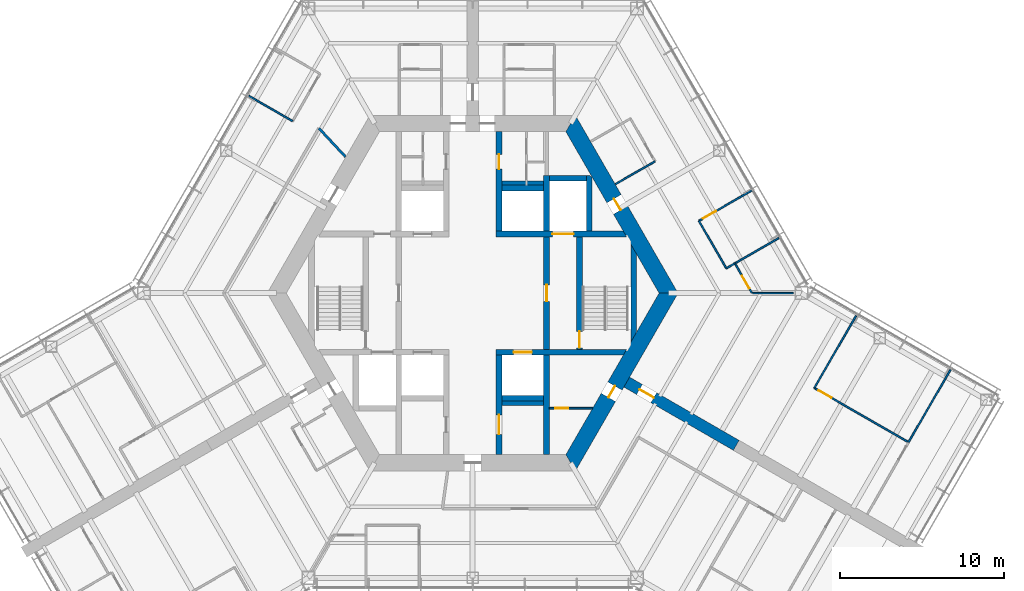
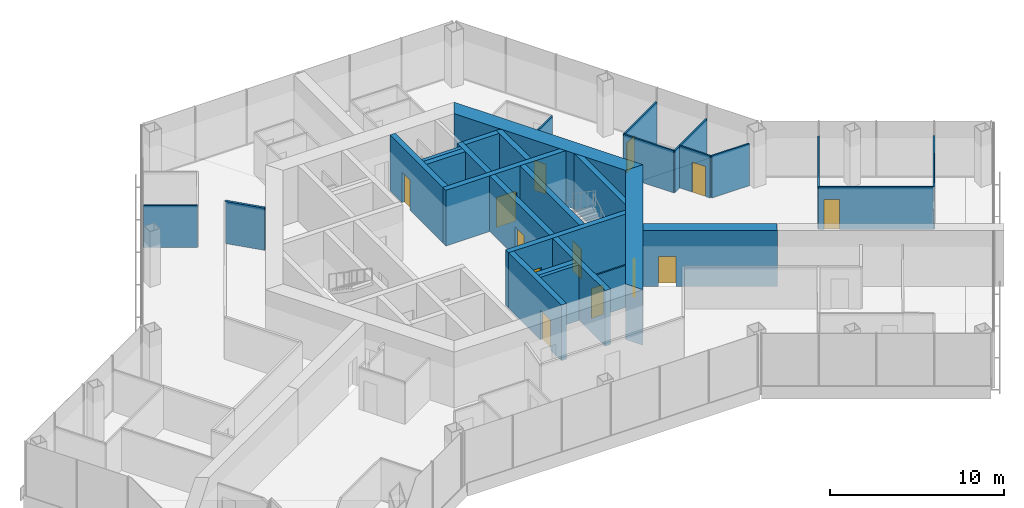
# One storey, part 14 of 18: 31 walls, 13 doors, 13 openings.
"""IFC4 building model written with IfcOpenShell, lengths in metres."""

import ifcopenshell
import ifcopenshell.guid

model = None  # the IFC model being written
_history = None  # IfcOwnerHistory: only IFC2X3 demands one
_inside = {}  # id of a spatial element -> (the spatial element, [elements in it])
_under = {}  # id of a project, library or spatial element -> (it, [spatial elements below it])
_declared = {}  # id of a project -> (the project, [libraries it declares])
_typed = {}  # id of a type object -> (the type object, [elements of that type])
_made_of = {}  # id of a material, layer set ... -> (it, [elements and type objects made of it])


def new_model(schema):
    """Start an empty IFC model of exactly this schema.

    Asked for "IFC4X3", IfcOpenShell would pick the latest addendum, in which some entities
    have other attributes; the version numbers below select the first issue.
    IFC2X3 requires an IfcOwnerHistory on every rooted entity: one is made here for all.
    """
    global model, _history
    if schema == "IFC4X3":
        model = ifcopenshell.file(schema_version=(4, 3, 0, 0))
    else:
        model = ifcopenshell.file(schema=schema)
    _inside.clear()
    _under.clear()
    _declared.clear()
    _typed.clear()
    _made_of.clear()
    _history = None
    if model.schema == "IFC2X3":
        org = make("IfcOrganization", Name="unknown")
        user = make(
            "IfcPersonAndOrganization",
            ThePerson=make("IfcPerson", FamilyName="unknown"),
            TheOrganization=org,
        )
        app = make(
            "IfcApplication",
            ApplicationDeveloper=org,
            Version="unknown",
            ApplicationFullName="unknown",
            ApplicationIdentifier="unknown",
        )
        _history = make(
            "IfcOwnerHistory",
            OwningUser=user,
            OwningApplication=app,
            ChangeAction="ADDED",
            CreationDate=0,
        )
    return model


def make(cls, **values):
    """One entity of the class cls with the attributes given. An attribute that is None is left unset."""
    return model.create_entity(
        cls, **{name: value for name, value in values.items() if value is not None}
    )


def rooted(cls, **values):
    """An entity with a GlobalId (a new one), such as an element, a storey or a relation."""
    return make(cls, GlobalId=ifcopenshell.guid.new(), OwnerHistory=_history, **values)


def si_unit(unit_type, name, prefix=None):
    """IfcSIUnit, for example si_unit("LENGTHUNIT", "METRE", prefix="MILLI")."""
    return make("IfcSIUnit", UnitType=unit_type, Prefix=prefix, Name=name)


def assignment(units):
    """IfcUnitAssignment: the units of a project."""
    return None if units is None else make("IfcUnitAssignment", Units=units)


def point(xyz):
    """IfcCartesianPoint."""
    return None if xyz is None else make("IfcCartesianPoint", Coordinates=xyz)


def direction(xyz):
    """IfcDirection."""
    return None if xyz is None else make("IfcDirection", DirectionRatios=xyz)


def frame(location, z_axis=None, x_axis=None):
    """IfcAxis2Placement3D, a coordinate frame: its origin and axes. An axis left out is left unset."""
    return make(
        "IfcAxis2Placement3D",
        Location=point(location),
        Axis=direction(z_axis),
        RefDirection=direction(x_axis),
    )


def frame_2d(location, x_axis=None):
    """IfcAxis2Placement2D, a coordinate frame in the plane: its origin and x axis."""
    return make(
        "IfcAxis2Placement2D", Location=point(location), RefDirection=direction(x_axis)
    )


def origin():
    """The frame at (0, 0, 0) with its axes left unset."""
    return frame((0.0, 0.0, 0.0))


def place(relative_to, where):
    """IfcLocalPlacement: puts the frame where relative to a parent placement (None: the world)."""
    return make(
        "IfcLocalPlacement", PlacementRelTo=relative_to, RelativePlacement=where
    )


def context(
    kind, dimensions, precision=None, world=None, true_north=None, identifier=None
):
    """IfcGeometricRepresentationContext, for example the 3D "Model" context."""
    return make(
        "IfcGeometricRepresentationContext",
        ContextIdentifier=identifier,
        ContextType=kind,
        CoordinateSpaceDimension=dimensions,
        Precision=precision,
        WorldCoordinateSystem=world,
        TrueNorth=true_north,
    )


def subcontext(parent, identifier, kind, view, scale=None):
    """IfcGeometricRepresentationSubContext, for example "Body" below "Model"."""
    return make(
        "IfcGeometricRepresentationSubContext",
        ContextIdentifier=identifier,
        ContextType=kind,
        ParentContext=parent,
        TargetScale=scale,
        TargetView=view,
    )


def project(units=None, contexts=None):
    """IfcProject with its units and contexts."""
    return rooted(
        "IfcProject",
        Name="project",
        RepresentationContexts=contexts,
        UnitsInContext=assignment(units),
    )


def spatial(cls, under=None, at=None, **own):
    """A site, building, storey or space (cls), placed at a placement, below another one or the project."""
    s = rooted(cls, ObjectPlacement=at, **own)
    if under is not None:
        _under.setdefault(under.id(), (under, []))[1].append(s)
    return s


def polyline(points):
    """IfcPolyline through the points."""
    return make("IfcPolyline", Points=[point(p) for p in points])


def profile(cls, at=None, kind="AREA", **sizes):
    """A parametric profile (cls). Its sizes go by their IFC names, for example OverallWidth=200.0."""
    return make(cls, ProfileType=kind, Position=at, **sizes)


def rectangle(**sizes):
    """IfcRectangleProfileDef."""
    return profile("IfcRectangleProfileDef", **sizes)


def outline(outer, holes=None, kind="AREA"):
    """IfcArbitraryClosedProfileDef: a profile drawn as a closed curve; with holes, ...WithVoids."""
    if holes is None:
        return make("IfcArbitraryClosedProfileDef", ProfileType=kind, OuterCurve=outer)
    return make(
        "IfcArbitraryProfileDefWithVoids",
        ProfileType=kind,
        OuterCurve=outer,
        InnerCurves=holes,
    )


def extrude(swept, where, along, depth):
    """IfcExtrudedAreaSolid: the profile swept, set in the frame where, extruded along a direction by depth."""
    return make(
        "IfcExtrudedAreaSolid",
        SweptArea=swept,
        Position=where,
        ExtrudedDirection=direction(along),
        Depth=depth,
    )


def shape(context_of_items, identifier, shape_type, items):
    """IfcShapeRepresentation: the items that make up one representation, for example the "Body"."""
    return make(
        "IfcShapeRepresentation",
        ContextOfItems=context_of_items,
        RepresentationIdentifier=identifier,
        RepresentationType=shape_type,
        Items=items,
    )


def material(Name=None, Category=None):
    """IfcMaterial."""
    return make("IfcMaterial", Name=Name, Category=Category)


def layer(
    of_material, thickness, ventilated=None, Name=None, Category=None, Priority=None
):
    """IfcMaterialLayer: one layer of a wall or slab, of a material (None: an air gap)."""
    return make(
        "IfcMaterialLayer",
        Material=of_material,
        LayerThickness=thickness,
        IsVentilated=ventilated,
        Name=Name,
        Category=Category,
        Priority=Priority,
    )


def layer_set(layers, Name=None):
    """IfcMaterialLayerSet."""
    return make("IfcMaterialLayerSet", MaterialLayers=layers, LayerSetName=Name)


def made_of(thing, what):
    """Note that an element or type object is made of a material, layer set ...; save() writes the relation."""
    if what is not None:
        _made_of.setdefault(what.id(), (what, []))[1].append(thing)
    return thing


def type_object(cls, material=None, **own):
    """A type object (cls), such as IfcWallType, which elements share."""
    return made_of(rooted(cls, **own), material)


def element(
    cls,
    number,
    at=None,
    inside=None,
    cuts=None,
    type_object=None,
    material=None,
    context=None,
    identifier="Body",
    shape_type=None,
    held_by="IfcProductDefinitionShape",
    body=None,
    shapes=None,
    **own,
):
    """One element of the class cls, such as IfcWall. Its Tag is "e" and its number.

    at: its placement. inside: the storey or other place that contains it. cuts: it is an
    opening in that element (IfcRelVoidsElement). A single representation is given by context,
    identifier, shape_type and body (its items); several are given by shapes. held_by: the class
    of the entity that holds the representations. save() writes the other relations.
    """
    e = rooted(cls, Tag="e%d" % number, ObjectPlacement=at, **own)
    if body is not None:
        shapes = [shape(context, identifier, shape_type, body)]
    if shapes is not None:
        e.Representation = make(held_by, Representations=shapes)
    if inside is not None:
        _inside.setdefault(inside.id(), (inside, []))[1].append(e)
    if cuts is not None:
        rooted(
            "IfcRelVoidsElement", RelatingBuildingElement=cuts, RelatedOpeningElement=e
        )
    if type_object is not None:
        _typed.setdefault(type_object.id(), (type_object, []))[1].append(e)
    return made_of(e, material)


def fill(opening, filler):
    """IfcRelFillsElement: the door or window that sits in an opening."""
    return rooted(
        "IfcRelFillsElement",
        RelatingOpeningElement=opening,
        RelatedBuildingElement=filler,
    )


def aggregate(whole, parts):
    """IfcRelAggregates: a whole, such as a stair, and the parts it consists of."""
    return rooted("IfcRelAggregates", RelatingObject=whole, RelatedObjects=parts)


def save(model, path):
    """Write the relations noted so far, then the file.

    IfcRelAggregates (storeys below a building ...), IfcRelContainedInSpatialStructure (elements
    in a storey), IfcRelDefinesByType, IfcRelAssociatesMaterial and IfcRelDeclares: one each for
    every whole, place, type object, material and project.
    """
    for whole, parts in _under.values():
        aggregate(whole, parts)
    for where, things in _inside.values():
        rooted(
            "IfcRelContainedInSpatialStructure",
            RelatedElements=things,
            RelatingStructure=where,
        )
    for kind, things in _typed.values():
        rooted("IfcRelDefinesByType", RelatedObjects=things, RelatingType=kind)
    for what, things in _made_of.values():
        rooted("IfcRelAssociatesMaterial", RelatedObjects=things, RelatingMaterial=what)
    for by, libraries in _declared.values():
        rooted("IfcRelDeclares", RelatingContext=by, RelatedDefinitions=libraries)
    model.write(path)


model = new_model("IFC4")

# Units and contexts
model_context = context("Model", 3, precision=1e-05, world=origin(), true_north=direction((0.0, 1.0)))
body_context = subcontext(model_context, "Body", "Model", "MODEL_VIEW")
ifc_project = project(units=[si_unit("LENGTHUNIT", "METRE"), si_unit("AREAUNIT", "SQUARE_METRE"), si_unit("VOLUMEUNIT", "CUBIC_METRE"), si_unit("PLANEANGLEUNIT", "RADIAN"), si_unit("MASSUNIT", "GRAM", prefix="KILO")], contexts=[model_context])

# Site, building, storey
site_placement = place(None, origin())
site = spatial("IfcSite", under=ifc_project, at=site_placement, CompositionType="ELEMENT")
building_placement = place(site_placement, origin())
building = spatial("IfcBuilding", under=site, at=building_placement, Name="Kasaneha Research Tower", CompositionType="ELEMENT")
storey_placement = place(building_placement, frame((0.0, 0.0, 191.60009765625)))
storey = spatial("IfcBuildingStorey", under=building, at=storey_placement, Name="L48", CompositionType="ELEMENT", Elevation=191.60009765625)

# Wall, opening, door
ifc_material_1 = material(Name="Concrete Fc70", Category="concrete")
ifc_layer_1 = layer(ifc_material_1, 0.35009765625)
ifc_layer_set_1 = layer_set([ifc_layer_1], Name="Core internal wall 350 Fc70")
wall_type_1 = type_object("IfcWallType", Name="Core internal wall 350 Fc70", PredefinedType="SHEAR", material=ifc_layer_set_1)
wall_1_placement = place(storey_placement, frame((1.425048828125, 3.60009765625, 0.0), z_axis=(0.0, 0.0, 1.0), x_axis=(1.0, 0.0, 0.0)))
wall_1 = element("IfcWall", 1, at=wall_1_placement, inside=storey, type_object=wall_type_1, Name="Core wall W1E L48", PredefinedType="SHEAR", context=body_context, shape_type="SweptSolid", body=[
    extrude(outline(polyline([(0.0, -0.175048828125), (3.425048828125, -0.175048828125), (4.72509765625, -0.175048828125), (7.9423828125, -0.175048828125), (7.740234375, 0.175048828125), (4.72509765625, 0.175048828125), (3.425048828125, 0.175048828125), (0.0, 0.175048828125), (0.0, -0.175048828125)])), origin(), (0.0, 0.0, 1.0), 3.89990234375),
])
opening_1_placement = place(wall_1_placement, frame((3.425048828125, 0.0, 0.0)))
opening_1 = element("IfcOpeningElement", 2, at=opening_1_placement, cuts=wall_1, Name="Opening LD-FL1-L48", PredefinedType="OPENING", context=body_context, shape_type="SweptSolid", body=[
    extrude(rectangle(XDim=1.300048828125, YDim=2.10009765625, at=frame_2d((0.64990234375, 1.050048828125))), frame((0.0, 0.18505859375, 0.0), z_axis=(0.0, -1.0, 0.0), x_axis=(1.0, 0.0, 0.0)), (0.0, 0.0, 1.0), 0.3701171875),
])
ifc_material_2 = material(Name="Steel", Category="steel")
door_type_1 = type_object("IfcDoorType", Name="Lift landing door 1300x2100", OperationType="DOUBLE_DOOR_SLIDING", PredefinedType="DOOR", material=ifc_material_2)
door_1_placement = place(opening_1_placement, origin())
door_1 = element("IfcDoor", 3, at=door_1_placement, inside=storey, type_object=door_type_1, Name="Landing door FL1 LD-FL1-L48", OperationType="DOUBLE_DOOR_SLIDING", OverallHeight=2.10009765625, OverallWidth=1.300048828125, PredefinedType="DOOR", context=body_context, shape_type="SweptSolid", body=[
    extrude(rectangle(XDim=1.300048828125, YDim=2.10009765625, at=frame_2d((0.64990234375, 1.050048828125))), frame((0.0, 0.02490234375, 0.0), z_axis=(0.0, -1.0, 0.0), x_axis=(1.0, 0.0, 0.0)), (0.0, 0.0, 1.0), 0.050048828125),
])
fill(opening_1, door_1)

wall_2_placement = place(storey_placement, frame((1.425048828125, -3.60009765625, 0.0), z_axis=(0.0, 0.0, 1.0), x_axis=(1.0, 0.0, 0.0)))
wall_2 = element("IfcWall", 4, at=wall_2_placement, inside=storey, type_object=wall_type_1, Name="Core wall W2E L48", PredefinedType="SHEAR", context=body_context, shape_type="SweptSolid", body=[
    extrude(outline(polyline([(0.0, -0.175048828125), (1.074951171875, -0.175048828125), (2.175048828125, -0.175048828125), (7.740234375, -0.175048828125), (7.9423828125, 0.175048828125), (2.175048828125, 0.175048828125), (1.074951171875, 0.175048828125), (0.0, 0.175048828125), (0.0, -0.175048828125)])), origin(), (0.0, 0.0, 1.0), 3.89990234375),
])
opening_2_placement = place(wall_2_placement, frame((1.074951171875, 0.0, 0.0)))
opening_2 = element("IfcOpeningElement", 5, at=opening_2_placement, cuts=wall_2, Name="Opening LD-LM2-L48", PredefinedType="OPENING", context=body_context, shape_type="SweptSolid", body=[
    extrude(rectangle(XDim=1.10009765625, YDim=2.10009765625, at=frame_2d((0.550048828125, 1.050048828125))), frame((0.0, 0.18505859375, 0.0), z_axis=(0.0, -1.0, 0.0), x_axis=(1.0, 0.0, 0.0)), (0.0, 0.0, 1.0), 0.3701171875),
])
ifc_material_3 = material(Name="Steel", Category="steel")
door_type_2 = type_object("IfcDoorType", Name="Lift landing door 1100x2100", OperationType="DOUBLE_DOOR_SLIDING", PredefinedType="DOOR", material=ifc_material_3)
door_2_placement = place(opening_2_placement, origin())
door_2 = element("IfcDoor", 6, at=door_2_placement, inside=storey, type_object=door_type_2, Name="Landing door LM2 LD-LM2-L48", OperationType="DOUBLE_DOOR_SLIDING", OverallHeight=2.10009765625, OverallWidth=1.10009765625, PredefinedType="DOOR", context=body_context, shape_type="SweptSolid", body=[
    extrude(rectangle(XDim=1.10009765625, YDim=2.10009765625, at=frame_2d((0.550048828125, 1.050048828125))), frame((0.0, 0.02490234375, 0.0), z_axis=(0.0, -1.0, 0.0), x_axis=(1.0, 0.0, 0.0)), (0.0, 0.0, 1.0), 0.050048828125),
])
fill(opening_2, door_2)

wall_3_placement = place(storey_placement, frame((1.60009765625, 3.77490234375, 0.0), z_axis=(0.0, 0.0, 1.0), x_axis=(0.0, 1.0, 0.0)))
wall_3 = element("IfcWall", 7, at=wall_3_placement, inside=storey, type_object=wall_type_1, Name="Core wall CNE L48", PredefinedType="SHEAR", context=body_context, shape_type="SweptSolid", body=[
    extrude(rectangle(XDim=6.050048828125, YDim=0.35009765625, at=frame_2d((3.02490234375, 0.0))), origin(), (0.0, 0.0, 1.0), 3.89990234375),
])
opening_3_placement = place(wall_3_placement, frame((3.77490234375, 0.0, 0.0)))
opening_3 = element("IfcOpeningElement", 8, at=opening_3_placement, cuts=wall_3, Name="Opening L48-D14", PredefinedType="OPENING", context=body_context, shape_type="SweptSolid", body=[
    extrude(rectangle(XDim=0.89990234375, YDim=2.10009765625, at=frame_2d((0.449951171875, 1.050048828125))), frame((0.0, 0.18505859375, 0.0), z_axis=(0.0, -1.0, 0.0), x_axis=(1.0, 0.0, 0.0)), (0.0, 0.0, 1.0), 0.3701171875),
])
ifc_material_4 = material(Name="Steel", Category="steel")
door_type_3 = type_object("IfcDoorType", Name="Toilet door FD20 900x2100", OperationType="NOTDEFINED", PredefinedType="DOOR", material=ifc_material_4)
door_3_placement = place(opening_3_placement, origin())
door_3 = element("IfcDoor", 9, at=door_3_placement, inside=storey, type_object=door_type_3, Name="Women's WC door L48-D14", OperationType="SINGLE_SWING_LEFT", OverallHeight=2.10009765625, OverallWidth=0.89990234375, PredefinedType="DOOR", context=body_context, shape_type="SweptSolid", body=[
    extrude(rectangle(XDim=0.89990234375, YDim=2.10009765625, at=frame_2d((0.449951171875, 1.050048828125))), frame((0.0, 0.02490234375, 0.0), z_axis=(0.0, -1.0, 0.0), x_axis=(1.0, 0.0, 0.0)), (0.0, 0.0, 1.0), 0.050048828125),
])
fill(opening_3, door_3)

wall_4_placement = place(storey_placement, frame((1.60009765625, -3.77490234375, 0.0), z_axis=(0.0, 0.0, 1.0), x_axis=(0.0, -1.0, 0.0)))
wall_4 = element("IfcWall", 10, at=wall_4_placement, inside=storey, type_object=wall_type_1, Name="Core wall CSE L48", PredefinedType="SHEAR", context=body_context, shape_type="SweptSolid", body=[
    extrude(rectangle(XDim=6.050048828125, YDim=0.35009765625, at=frame_2d((3.02490234375, 0.0))), origin(), (0.0, 0.0, 1.0), 3.89990234375),
])
opening_4_placement = place(wall_4_placement, frame((3.625, 0.0, 0.0)))
opening_4 = element("IfcOpeningElement", 11, at=opening_4_placement, cuts=wall_4, Name="Opening L48-D15", PredefinedType="OPENING", context=body_context, shape_type="SweptSolid", body=[
    extrude(rectangle(XDim=1.199951171875, YDim=2.10009765625, at=frame_2d((0.60009765625, 1.050048828125))), frame((0.0, 0.18505859375, 0.0), z_axis=(0.0, -1.0, 0.0), x_axis=(1.0, 0.0, 0.0)), (0.0, 0.0, 1.0), 0.3701171875),
])
ifc_material_5 = material(Name="Steel", Category="steel")
door_type_4 = type_object("IfcDoorType", Name="Accessible toilet sliding door FD20 1200x2100", OperationType="SLIDING_TO_LEFT", PredefinedType="DOOR", material=ifc_material_5)
door_4_placement = place(opening_4_placement, origin())
door_4 = element("IfcDoor", 12, at=door_4_placement, inside=storey, type_object=door_type_4, Name="Accessible WC door L48-D15", OperationType="SLIDING_TO_LEFT", OverallHeight=2.10009765625, OverallWidth=1.199951171875, PredefinedType="DOOR", context=body_context, shape_type="SweptSolid", body=[
    extrude(rectangle(XDim=1.199951171875, YDim=2.10009765625, at=frame_2d((0.60009765625, 1.050048828125))), frame((0.0, 0.02490234375, 0.0), z_axis=(0.0, -1.0, 0.0), x_axis=(1.0, 0.0, 0.0)), (0.0, 0.0, 1.0), 0.050048828125),
])
fill(opening_4, door_4)

wall_5_placement = place(storey_placement, frame((4.5, -3.425048828125, 0.0), z_axis=(0.0, 0.0, 1.0), x_axis=(0.0, 1.0, 0.0)))
wall_5 = element("IfcWall", 13, at=wall_5_placement, inside=storey, type_object=wall_type_1, Name="Core wall LBE L48", PredefinedType="SHEAR", context=body_context, shape_type="SweptSolid", body=[
    extrude(rectangle(XDim=6.85009765625, YDim=0.35009765625, at=frame_2d((3.425048828125, 0.0))), origin(), (0.0, 0.0, 1.0), 3.89990234375),
])
opening_5_placement = place(wall_5_placement, frame((2.925048828125, 0.0, 0.0)))
opening_5 = element("IfcOpeningElement", 14, at=opening_5_placement, cuts=wall_5, Name="Opening L48-D08", PredefinedType="OPENING", context=body_context, shape_type="SweptSolid", body=[
    extrude(rectangle(XDim=1.0, YDim=2.10009765625, at=frame_2d((0.5, 1.050048828125))), frame((0.0, 0.18505859375, 0.0), z_axis=(0.0, -1.0, 0.0), x_axis=(1.0, 0.0, 0.0)), (0.0, 0.0, 1.0), 0.3701171875),
])
ifc_material_6 = material(Name="Steel", Category="steel")
door_type_5 = type_object("IfcDoorType", Name="Specified fire door FD60 1000x2100", OperationType="NOTDEFINED", PredefinedType="DOOR", material=ifc_material_6)
door_5_placement = place(opening_5_placement, origin())
door_5 = element("IfcDoor", 15, at=door_5_placement, inside=storey, type_object=door_type_5, Name="Lift lobby door east L48-D08", OperationType="SINGLE_SWING_LEFT", OverallHeight=2.10009765625, OverallWidth=1.0, PredefinedType="DOOR", context=body_context, shape_type="SweptSolid", body=[
    extrude(rectangle(XDim=1.0, YDim=2.10009765625, at=frame_2d((0.5, 1.050048828125))), frame((0.0, 0.02490234375, 0.0), z_axis=(0.0, -1.0, 0.0), x_axis=(1.0, 0.0, 0.0)), (0.0, 0.0, 1.0), 0.050048828125),
])
fill(opening_5, door_5)

wall_6_placement = place(storey_placement, frame((6.5, -3.425048828125, 0.0), z_axis=(0.0, 0.0, 1.0), x_axis=(0.0, 1.0, 0.0)))
wall_6 = element("IfcWall", 16, at=wall_6_placement, inside=storey, type_object=wall_type_1, Name="Core wall ANE L48", PredefinedType="SHEAR", context=body_context, shape_type="SweptSolid", body=[
    extrude(rectangle(XDim=6.85009765625, YDim=0.35009765625, at=frame_2d((3.425048828125, 0.0))), origin(), (0.0, 0.0, 1.0), 3.89990234375),
])
opening_6_placement = place(wall_6_placement, frame((0.10009765625, 0.0, 0.0)))
opening_6 = element("IfcOpeningElement", 17, at=opening_6_placement, cuts=wall_6, Name="Opening L48-D10", PredefinedType="OPENING", context=body_context, shape_type="SweptSolid", body=[
    extrude(rectangle(XDim=1.0, YDim=2.10009765625, at=frame_2d((0.5, 1.050048828125))), frame((0.0, 0.18505859375, 0.0), z_axis=(0.0, -1.0, 0.0), x_axis=(1.0, 0.0, 0.0)), (0.0, 0.0, 1.0), 0.3701171875),
])
door_6_placement = place(opening_6_placement, origin())
door_6 = element("IfcDoor", 18, at=door_6_placement, inside=storey, type_object=door_type_5, Name="Stair 1 door L48-D10", OperationType="SINGLE_SWING_LEFT", OverallHeight=2.10009765625, OverallWidth=1.0, PredefinedType="DOOR", context=body_context, shape_type="SweptSolid", body=[
    extrude(rectangle(XDim=1.0, YDim=2.10009765625, at=frame_2d((0.5, 1.050048828125))), frame((0.0, 0.02490234375, 0.0), z_axis=(0.0, -1.0, 0.0), x_axis=(1.0, 0.0, 0.0)), (0.0, 0.0, 1.0), 0.050048828125),
])
fill(opening_6, door_6)

# Walls
wall_7_placement = place(storey_placement, frame((4.5, 3.77490234375, 0.0), z_axis=(0.0, 0.0, 1.0), x_axis=(0.0, 1.0, 0.0)))
element("IfcWall", 19, at=wall_7_placement, inside=storey, type_object=wall_type_1, Name="Core wall FNE L48", PredefinedType="SHEAR", context=body_context, shape_type="SweptSolid", body=[
    extrude(rectangle(XDim=3.400146484375, YDim=0.35009765625, at=frame_2d((1.7001953125, 0.0))), origin(), (0.0, 0.0, 1.0), 3.89990234375),
])
wall_8_placement = place(storey_placement, frame((4.5, -3.77490234375, 0.0), z_axis=(0.0, 0.0, 1.0), x_axis=(0.0, -1.0, 0.0)))
element("IfcWall", 20, at=wall_8_placement, inside=storey, type_object=wall_type_1, Name="Core wall SSE L48", PredefinedType="SHEAR", context=body_context, shape_type="SweptSolid", body=[
    extrude(rectangle(XDim=6.050048828125, YDim=0.35009765625, at=frame_2d((3.02490234375, 0.0))), origin(), (0.0, 0.0, 1.0), 3.89990234375),
])
for number, where, z_axis, x_axis, name in (
    (21, (1.77490234375, 6.39990234375, 0.0), (0.0, 0.0, 1.0), (1.0, 0.0, 0.0), "Core wall N3N L48"),
    (22, (1.77490234375, -6.39990234375, 0.0), (0.0, 0.0, 1.0), (1.0, 0.0, 0.0), "Core wall S3S L48"),
):
    element("IfcWall", number, at=place(storey_placement, frame(where, z_axis=z_axis, x_axis=x_axis)), inside=storey, type_object=wall_type_1, Name=name, PredefinedType="SHEAR", context=body_context, shape_type="SweptSolid", body=[
        extrude(rectangle(XDim=2.550048828125, YDim=0.35009765625, at=frame_2d((1.27490234375, 0.0))), origin(), (0.0, 0.0, 1.0), 3.89990234375),
    ])
wall_9_placement = place(storey_placement, frame((4.675048828125, 7.0, 0.0), z_axis=(0.0, 0.0, 1.0), x_axis=(1.0, 0.0, 0.0)))
element("IfcWall", 23, at=wall_9_placement, inside=storey, type_object=wall_type_1, Name="Core wall F1N L48", PredefinedType="SHEAR", context=body_context, shape_type="SweptSolid", body=[
    extrude(rectangle(XDim=2.25, YDim=0.35009765625, at=frame_2d((1.125, 0.0))), origin(), (0.0, 0.0, 1.0), 3.89990234375),
])
wall_10_placement = place(storey_placement, frame((7.10009765625, 3.77490234375, 0.0), z_axis=(0.0, 0.0, 1.0), x_axis=(0.0, 1.0, 0.0)))
element("IfcWall", 24, at=wall_10_placement, inside=storey, type_object=wall_type_1, Name="Core wall F1E L48", PredefinedType="SHEAR", context=body_context, shape_type="SweptSolid", body=[
    extrude(outline(polyline([(0.0, -0.175048828125), (3.2744140625, -0.175048828125), (3.400146484375, 0.0), (3.400146484375, 0.175048828125), (0.0, 0.175048828125), (0.0, -0.175048828125)])), origin(), (0.0, 0.0, 1.0), 3.89990234375),
])
wall_11_placement = place(storey_placement, frame((9.807861328125, -2.662353515625, 0.0), z_axis=(0.0, 0.0, 1.0), x_axis=(0.0, 1.0, 0.0)))
element("IfcWall", 25, at=wall_11_placement, inside=storey, type_object=wall_type_1, Name="Core wall STE L48", PredefinedType="SHEAR", context=body_context, shape_type="SweptSolid", body=[
    extrude(outline(polyline([(0.30322265625, -0.175048828125), (5.021484375, -0.175048828125), (5.6279296875, 0.175048828125), (-0.30322265625, 0.175048828125), (0.30322265625, -0.175048828125)])), origin(), (0.0, 0.0, 1.0), 3.89990234375),
])

# Wall, opening, door
ifc_material_7 = material(Name="Concrete Fc70", Category="concrete")
ifc_layer_2 = layer(ifc_material_7, 1.0)
ifc_layer_set_2 = layer_set([ifc_layer_2], Name="Core wall 1000 Fc70")
wall_type_2 = type_object("IfcWallType", Name="Core wall 1000 Fc70", PredefinedType="SHEAR", material=ifc_layer_set_2)
wall_12_placement = place(storey_placement, frame((11.92236328125, 0.0, 0.0), z_axis=(0.0, 0.0, 1.0), x_axis=(-0.500004296715, 0.866022923061, 0.0)))
wall_12 = element("IfcWall", 26, at=wall_12_placement, inside=storey, type_object=wall_type_2, Name="Core wall 030 L48", PredefinedType="SHEAR", context=body_context, shape_type="SweptSolid", body=[
    extrude(outline(polyline([(-0.28857421875, -0.5), (5.83544921875, -0.5), (6.635498046875, -0.5), (12.2109375, -0.5), (11.6337890625, 0.5), (6.635498046875, 0.5), (5.83544921875, 0.5), (0.28857421875, 0.5), (-0.28857421875, -0.5)])), origin(), (0.0, 0.0, 1.0), 3.89990234375),
])
opening_7_placement = place(wall_12_placement, frame((5.83544921875, 0.0, 0.0)))
opening_7 = element("IfcOpeningElement", 27, at=opening_7_placement, cuts=wall_12, Name="Opening L48-D04", PredefinedType="OPENING", context=body_context, shape_type="SweptSolid", body=[
    extrude(rectangle(XDim=0.800048828125, YDim=2.10009765625, at=frame_2d((0.39990234375, 1.050048828125))), frame((0.0, 0.510009765625, 0.0), z_axis=(0.0, -1.0, 0.0), x_axis=(1.0, 0.0, 0.0)), (0.0, 0.0, 1.0), 1.02001953125),
])
ifc_material_8 = material(Name="Steel", Category="steel")
door_type_6 = type_object("IfcDoorType", Name="Riser access door FD60 800x2100", OperationType="NOTDEFINED", PredefinedType="DOOR", material=ifc_material_8)
door_7_placement = place(opening_7_placement, origin())
door_7 = element("IfcDoor", 28, at=door_7_placement, inside=storey, type_object=door_type_6, Name="Pipe riser door L48-D04", OperationType="SINGLE_SWING_RIGHT", OverallHeight=2.10009765625, OverallWidth=0.800048828125, PredefinedType="DOOR", context=body_context, shape_type="SweptSolid", body=[
    extrude(rectangle(XDim=0.800048828125, YDim=2.10009765625, at=frame_2d((0.39990234375, 1.050048828125))), frame((0.0, 0.02490234375, 0.0), z_axis=(0.0, -1.0, 0.0), x_axis=(1.0, 0.0, 0.0)), (0.0, 0.0, 1.0), 0.050048828125),
])
fill(opening_7, door_7)

wall_13_placement = place(storey_placement, frame((5.961181640625, -10.324951171875, 0.0), z_axis=(0.0, 0.0, 1.0), x_axis=(0.500004296715, 0.866022923061, 0.0)))
wall_13 = element("IfcWall", 29, at=wall_13_placement, inside=storey, type_object=wall_type_2, Name="Core wall 330 L48", PredefinedType="SHEAR", context=body_context, shape_type="SweptSolid", body=[
    extrude(outline(polyline([(-0.28857421875, -0.5), (4.593994140625, -0.5), (5.39404296875, -0.5), (12.2109375, -0.5), (11.6337890625, 0.5), (5.39404296875, 0.5), (4.593994140625, 0.5), (0.28857421875, 0.5), (-0.28857421875, -0.5)])), origin(), (0.0, 0.0, 1.0), 3.89990234375),
])
opening_8_placement = place(wall_13_placement, frame((4.593994140625, 0.0, 0.0)))
opening_8 = element("IfcOpeningElement", 30, at=opening_8_placement, cuts=wall_13, Name="Opening L48-D05", PredefinedType="OPENING", context=body_context, shape_type="SweptSolid", body=[
    extrude(rectangle(XDim=0.800048828125, YDim=2.10009765625, at=frame_2d((0.39990234375, 1.050048828125))), frame((0.0, 0.510009765625, 0.0), z_axis=(0.0, -1.0, 0.0), x_axis=(1.0, 0.0, 0.0)), (0.0, 0.0, 1.0), 1.02001953125),
])
door_8_placement = place(opening_8_placement, origin())
door_8 = element("IfcDoor", 31, at=door_8_placement, inside=storey, type_object=door_type_6, Name="Pipe riser door L48-D05", OperationType="SINGLE_SWING_LEFT", OverallHeight=2.10009765625, OverallWidth=0.800048828125, PredefinedType="DOOR", context=body_context, shape_type="SweptSolid", body=[
    extrude(rectangle(XDim=0.800048828125, YDim=2.10009765625, at=frame_2d((0.39990234375, 1.050048828125))), frame((0.0, 0.02490234375, 0.0), z_axis=(0.0, -1.0, 0.0), x_axis=(1.0, 0.0, 0.0)), (0.0, 0.0, 1.0), 0.050048828125),
])
fill(opening_8, door_8)

ifc_material_9 = material(Name="Gypsum board on steel studs, one layer each side", Category="steel")
ifc_layer_3 = layer(ifc_material_9, 0.10009765625)
ifc_layer_set_3 = layer_set([ifc_layer_3], Name="Office partition 100")
wall_type_3 = type_object("IfcWallType", Name="Office partition 100", PredefinedType="PARTITIONING", material=ifc_layer_set_3)
wall_14_placement = place(storey_placement, frame((4.675048828125, -7.0, 0.0), z_axis=(0.0, 0.0, 1.0), x_axis=(1.0, 0.0, 0.0)))
wall_14 = element("IfcWall", 32, at=wall_14_placement, inside=storey, type_object=wall_type_3, Name="Office partition RS-SE L48", PredefinedType="PARTITIONING", context=body_context, shape_type="SweptSolid", body=[
    extrude(outline(polyline([(0.0, -0.050048828125), (0.35009765625, -0.050048828125), (1.150146484375, -0.050048828125), (2.599609375, -0.050048828125), (2.62841796875, 0.0), (2.63427734375, 0.050048828125), (1.150146484375, 0.050048828125), (0.35009765625, 0.050048828125), (0.0, 0.050048828125), (0.0, -0.050048828125)])), origin(), (0.0, 0.0, 1.0), 2.949951171875),
])
opening_9_placement = place(wall_14_placement, frame((0.35009765625, 0.0, 0.0)))
opening_9 = element("IfcOpeningElement", 33, at=opening_9_placement, cuts=wall_14, Name="Opening L48-D24", PredefinedType="OPENING", context=body_context, shape_type="SweptSolid", body=[
    extrude(rectangle(XDim=0.800048828125, YDim=2.10009765625, at=frame_2d((0.39990234375, 1.050048828125))), frame((0.0, 0.06005859375, 0.0), z_axis=(0.0, -1.0, 0.0), x_axis=(1.0, 0.0, 0.0)), (0.0, 0.0, 1.0), 0.1201171875),
])
door_9_placement = place(opening_9_placement, origin())
door_9 = element("IfcDoor", 34, at=door_9_placement, inside=storey, type_object=door_type_6, Name="Drainage riser door L48-D24", OperationType="SINGLE_SWING_LEFT", OverallHeight=2.10009765625, OverallWidth=0.800048828125, PredefinedType="DOOR", context=body_context, shape_type="SweptSolid", body=[
    extrude(rectangle(XDim=0.800048828125, YDim=2.10009765625, at=frame_2d((0.39990234375, 1.050048828125))), frame((0.0, 0.02490234375, 0.0), z_axis=(0.0, -1.0, 0.0), x_axis=(1.0, 0.0, 0.0)), (0.0, 0.0, 1.0), 0.050048828125),
])
fill(opening_9, door_9)

# Walls
wall_15_placement = place(storey_placement, frame((11.099609375, 8.02490234375, 0.0), z_axis=(0.0, 0.0, 1.0), x_axis=(-0.866056901187, -0.49994544093, 0.0)))
element("IfcWall", 35, at=wall_15_placement, inside=storey, type_object=wall_type_3, Name="Office partition FAE09 L48", PredefinedType="PARTITIONING", context=body_context, shape_type="SweptSolid", body=[
    extrude(rectangle(XDim=2.780029296875, YDim=0.10009765625, at=frame_2d((1.39013671875, 0.0))), origin(), (0.0, 0.0, 1.0), 2.949951171875),
])
wall_16_placement = place(storey_placement, frame((18.619873046875, 3.3505859375, 0.0), z_axis=(0.0, 0.0, 1.0), x_axis=(-0.866043267704, -0.499969057507, 0.0)))
element("IfcWall", 36, at=wall_16_placement, inside=storey, type_object=wall_type_3, Name="Office partition FAE10 L48", PredefinedType="PARTITIONING", context=body_context, shape_type="SweptSolid", body=[
    extrude(rectangle(XDim=3.085205078125, YDim=0.10009765625, at=frame_2d((1.54248046875, 0.0))), origin(), (0.0, 0.0, 1.0), 2.949951171875),
])

# Wall, opening, door
wall_17_placement = place(storey_placement, frame((13.767333984375, 4.395263671875, 0.0), z_axis=(0.0, 0.0, 1.0), x_axis=(0.866028673236, 0.499994337101, 0.0)))
wall_17 = element("IfcWall", 37, at=wall_17_placement, inside=storey, type_object=wall_type_3, Name="Office partition FAE11 L48", PredefinedType="PARTITIONING", context=body_context, shape_type="SweptSolid", body=[
    extrude(rectangle(XDim=3.705078125, YDim=0.10009765625, at=frame_2d((1.8525390625, 0.0))), origin(), (0.0, 0.0, 1.0), 2.949951171875),
])
opening_10_placement = place(wall_17_placement, frame((0.300048828125, 0.0, 0.0)))
opening_10 = element("IfcOpeningElement", 38, at=opening_10_placement, cuts=wall_17, Name="Opening L48-D28", PredefinedType="OPENING", context=body_context, shape_type="SweptSolid", body=[
    extrude(rectangle(XDim=0.89990234375, YDim=2.10009765625, at=frame_2d((0.449951171875, 1.050048828125))), frame((0.0, 0.06005859375, 0.0), z_axis=(0.0, -1.0, 0.0), x_axis=(1.0, 0.0, 0.0)), (0.0, 0.0, 1.0), 0.1201171875),
])
ifc_material_10 = material(Name="Timber veneer", Category="wood")
door_type_7 = type_object("IfcDoorType", Name="Office door 900x2100", OperationType="SINGLE_SWING_LEFT", PredefinedType="DOOR", material=ifc_material_10)
door_10_placement = place(opening_10_placement, origin())
door_10 = element("IfcDoor", 39, at=door_10_placement, inside=storey, type_object=door_type_7, Name="Locker room door L48-D28", OperationType="SINGLE_SWING_LEFT", OverallHeight=2.10009765625, OverallWidth=0.89990234375, PredefinedType="DOOR", context=body_context, shape_type="SweptSolid", body=[
    extrude(rectangle(XDim=0.89990234375, YDim=2.10009765625, at=frame_2d((0.449951171875, 1.050048828125))), frame((0.0, 0.02490234375, 0.0), z_axis=(0.0, -1.0, 0.0), x_axis=(1.0, 0.0, 0.0)), (0.0, 0.0, 1.0), 0.050048828125),
])
fill(opening_10, door_10)

# Walls
wall_18_placement = place(storey_placement, frame((15.432861328125, 1.510498046875, 0.0), z_axis=(0.0, 0.0, 1.0), x_axis=(-0.500001606164, 0.866024476463, 0.0)))
element("IfcWall", 40, at=wall_18_placement, inside=storey, type_object=wall_type_3, Name="Office partition FAE12 L48", PredefinedType="PARTITIONING", context=body_context, shape_type="SweptSolid", body=[
    extrude(rectangle(XDim=3.3310546875, YDim=0.10009765625, at=frame_2d((1.66552734375, 0.0))), origin(), (0.0, 0.0, 1.0), 2.949951171875),
])
wall_19_placement = place(storey_placement, frame((15.956298828125, 1.812744140625, 0.0), z_axis=(0.0, 0.0, 1.0), x_axis=(-0.865997239347, -0.500048779063, 0.0)))
element("IfcWall", 41, at=wall_19_placement, inside=storey, type_object=wall_type_3, Name="Office partition FAE13 L48", PredefinedType="PARTITIONING", context=body_context, shape_type="SweptSolid", body=[
    extrude(rectangle(XDim=0.6044921875, YDim=0.10009765625, at=frame_2d((0.30224609375, 0.0))), origin(), (0.0, 0.0, 1.0), 2.949951171875),
])

# Wall, opening, door
wall_20_placement = place(storey_placement, frame((16.986083984375, 0.02001953125, 0.0), z_axis=(0.0, 0.0, 1.0), x_axis=(-0.498096123952, 0.867121820337, 0.0)))
wall_20 = element("IfcWall", 42, at=wall_20_placement, inside=storey, type_object=wall_type_3, Name="Office partition FAE14 L48", PredefinedType="PARTITIONING", context=body_context, shape_type="SweptSolid", body=[
    extrude(rectangle(XDim=2.0673828125, YDim=0.10009765625, at=frame_2d((1.03369140625, 0.0))), origin(), (0.0, 0.0, 1.0), 2.949951171875),
])
opening_11_placement = place(wall_20_placement, frame((0.300048828125, 0.0, 0.0)))
opening_11 = element("IfcOpeningElement", 43, at=opening_11_placement, cuts=wall_20, Name="Opening L48-D29", PredefinedType="OPENING", context=body_context, shape_type="SweptSolid", body=[
    extrude(rectangle(XDim=0.89990234375, YDim=2.10009765625, at=frame_2d((0.449951171875, 1.050048828125))), frame((0.0, 0.06005859375, 0.0), z_axis=(0.0, -1.0, 0.0), x_axis=(1.0, 0.0, 0.0)), (0.0, 0.0, 1.0), 0.1201171875),
])
door_11_placement = place(opening_11_placement, origin())
door_11 = element("IfcDoor", 44, at=door_11_placement, inside=storey, type_object=door_type_7, Name="Workroom door L48-D29", OperationType="SINGLE_SWING_LEFT", OverallHeight=2.10009765625, OverallWidth=0.89990234375, PredefinedType="DOOR", context=body_context, shape_type="SweptSolid", body=[
    extrude(rectangle(XDim=0.89990234375, YDim=2.10009765625, at=frame_2d((0.449951171875, 1.050048828125))), frame((0.0, 0.02490234375, 0.0), z_axis=(0.0, -1.0, 0.0), x_axis=(1.0, 0.0, 0.0)), (0.0, 0.0, 1.0), 0.050048828125),
])
fill(opening_11, door_11)

# Walls
wall_21_placement = place(storey_placement, frame((-10.9560546875, 10.464599609375, 0.0), z_axis=(0.0, 0.0, 1.0), x_axis=(-0.866044340336, 0.499967199496, 0.0)))
element("IfcWall", 45, at=wall_21_placement, inside=storey, type_object=wall_type_3, Name="Office partition FBN13 L48", PredefinedType="PARTITIONING", context=body_context, shape_type="SweptSolid", body=[
    extrude(rectangle(XDim=3.079833984375, YDim=0.10009765625, at=frame_2d((1.5400390625, 0.0))), origin(), (0.0, 0.0, 1.0), 2.949951171875),
])
wall_22_placement = place(storey_placement, frame((29.077392578125, -4.65771484375, 0.0), z_axis=(0.0, 0.0, 1.0), x_axis=(-0.500900533712, -0.86550485575, 0.0)))
element("IfcWall", 46, at=wall_22_placement, inside=storey, type_object=wall_type_3, Name="Office partition FCE01 L48", PredefinedType="PARTITIONING", context=body_context, shape_type="SweptSolid", body=[
    extrude(rectangle(XDim=5.10498046875, YDim=0.10009765625, at=frame_2d((2.552490234375, 0.0))), origin(), (0.0, 0.0, 1.0), 2.949951171875),
])
wall_23_placement = place(storey_placement, frame((20.792236328125, -5.76904296875, 0.0), z_axis=(0.0, 0.0, 1.0), x_axis=(0.500005339912, 0.866022320763, 0.0)))
element("IfcWall", 47, at=wall_23_placement, inside=storey, type_object=wall_type_3, Name="Office partition FCE02 L48", PredefinedType="PARTITIONING", context=body_context, shape_type="SweptSolid", body=[
    extrude(rectangle(XDim=5.080078125, YDim=0.10009765625, at=frame_2d((2.5400390625, 0.0))), origin(), (0.0, 0.0, 1.0), 2.949951171875),
])

# Wall, opening, door
wall_24_placement = place(storey_placement, frame((26.527099609375, -9.0751953125, 0.0), z_axis=(0.0, 0.0, 1.0), x_axis=(-0.866343956507, 0.499447844147, 0.0)))
wall_24 = element("IfcWall", 48, at=wall_24_placement, inside=storey, type_object=wall_type_3, Name="Office partition FCE03 L48", PredefinedType="PARTITIONING", context=body_context, shape_type="SweptSolid", body=[
    extrude(rectangle(XDim=6.61962890625, YDim=0.10009765625, at=frame_2d((3.309814453125, 0.0))), origin(), (0.0, 0.0, 1.0), 2.949951171875),
])
opening_12_placement = place(wall_24_placement, frame((5.419677734375, 0.0, 0.0)))
opening_12 = element("IfcOpeningElement", 49, at=opening_12_placement, cuts=wall_24, Name="Opening L48-D41", PredefinedType="OPENING", context=body_context, shape_type="SweptSolid", body=[
    extrude(rectangle(XDim=0.89990234375, YDim=2.10009765625, at=frame_2d((0.449951171875, 1.050048828125))), frame((0.0, 0.06005859375, 0.0), z_axis=(0.0, -1.0, 0.0), x_axis=(1.0, 0.0, 0.0)), (0.0, 0.0, 1.0), 0.1201171875),
])
door_12_placement = place(opening_12_placement, origin())
door_12 = element("IfcDoor", 50, at=door_12_placement, inside=storey, type_object=door_type_7, Name="Large meeting room door L48-D41", OperationType="SINGLE_SWING_RIGHT", OverallHeight=2.10009765625, OverallWidth=0.89990234375, PredefinedType="DOOR", context=body_context, shape_type="SweptSolid", body=[
    extrude(rectangle(XDim=0.89990234375, YDim=2.10009765625, at=frame_2d((0.449951171875, 1.050048828125))), frame((0.0, 0.02490234375, 0.0), z_axis=(0.0, -1.0, 0.0), x_axis=(1.0, 0.0, 0.0)), (0.0, 0.0, 1.0), 0.050048828125),
])
fill(opening_12, door_12)

# Wall
wall_25_placement = place(storey_placement, frame((19.5185546875, 0.0, 0.0), z_axis=(0.0, 0.0, 1.0), x_axis=(-1.0, 0.0, 0.0)))
element("IfcWall", 51, at=wall_25_placement, inside=storey, type_object=wall_type_3, Name="Office partition closer PT5 L48", PredefinedType="PARTITIONING", context=body_context, shape_type="SweptSolid", body=[
    extrude(rectangle(XDim=2.477783203125, YDim=0.10009765625, at=frame_2d((1.23876953125, 0.0))), origin(), (0.0, 0.0, 1.0), 2.949951171875),
])

# Wall, opening, door
ifc_material_11 = material(Name="Concrete Fc70", Category="concrete")
ifc_layer_4 = layer(ifc_material_11, 0.699951171875)
ifc_layer_set_4 = layer_set([ifc_layer_4], Name="Spine wall 700 Fc70")
wall_type_4 = type_object("IfcWallType", Name="Spine wall 700 Fc70", PredefinedType="SHEAR", material=ifc_layer_set_4)
wall_26_placement = place(storey_placement, frame((9.374755859375, -5.41259765625, 0.0), z_axis=(0.0, 0.0, 1.0), x_axis=(0.866032377459, -0.499987921047, 0.0)))
wall_26 = element("IfcWall", 52, at=wall_26_placement, inside=storey, type_object=wall_type_4, Name="Spine wall C L48", PredefinedType="SHEAR", context=body_context, shape_type="SweptSolid", body=[
    extrude(rectangle(XDim=7.695556640625, YDim=0.699951171875, at=frame_2d((3.84765625, 0.0))), origin(), (0.0, 0.0, 1.0), 3.89990234375),
])
opening_13_placement = place(wall_26_placement, frame((0.89990234375, 0.0, 0.0)))
opening_13 = element("IfcOpeningElement", 53, at=opening_13_placement, cuts=wall_26, Name="Opening L48-D19", PredefinedType="OPENING", context=body_context, shape_type="SweptSolid", body=[
    extrude(rectangle(XDim=1.0, YDim=2.10009765625, at=frame_2d((0.5, 1.050048828125))), frame((0.0, 0.35986328125, 0.0), z_axis=(0.0, -1.0, 0.0), x_axis=(1.0, 0.0, 0.0)), (0.0, 0.0, 1.0), 0.719970703125),
])
door_13_placement = place(opening_13_placement, origin())
door_13 = element("IfcDoor", 54, at=door_13_placement, inside=storey, type_object=door_type_5, Name="Spine doorway C L48-D19", OperationType="SINGLE_SWING_LEFT", OverallHeight=2.10009765625, OverallWidth=1.0, PredefinedType="DOOR", context=body_context, shape_type="SweptSolid", body=[
    extrude(rectangle(XDim=1.0, YDim=2.10009765625, at=frame_2d((0.5, 1.050048828125))), frame((0.0, 0.02490234375, 0.0), z_axis=(0.0, -1.0, 0.0), x_axis=(1.0, 0.0, 0.0)), (0.0, 0.0, 1.0), 0.050048828125),
])
fill(opening_13, door_13)

# Walls
ifc_material_12 = material(Name="Gypsum board on steel studs, two layers each side", Category="steel")
ifc_layer_5 = layer(ifc_material_12, 0.14990234375)
ifc_layer_set_5 = layer_set([ifc_layer_5], Name="Suite partition 150")
wall_type_5 = type_object("IfcWallType", Name="Suite partition 150", PredefinedType="PARTITIONING", material=ifc_layer_set_5)
wall_27_placement = place(storey_placement, frame((-9.360107421875, 10.03759765625, 0.0), z_axis=(0.0, 0.0, 1.0), x_axis=(0.681997114248, -0.731354863358, 0.0)))
element("IfcWall", 55, at=wall_27_placement, inside=storey, type_object=wall_type_5, Name="Suite partition FBN04 L48", PredefinedType="PARTITIONING", context=body_context, shape_type="SweptSolid", body=[
    extrude(outline(polyline([(0.0, -0.074951171875), (2.384033203125, -0.074951171875), (2.384033203125, 0.0), (2.382080078125, 0.074951171875), (0.0, 0.074951171875), (0.0, -0.074951171875)])), origin(), (0.0, 0.0, 1.0), 2.949951171875),
])
ifc_material_13 = material(Name="Concrete block lining", Category="concrete")
ifc_layer_6 = layer(ifc_material_13, 0.25)
ifc_layer_set_6 = layer_set([ifc_layer_6], Name="WC plumbing wall 250")
wall_type_6 = type_object("IfcWallType", Name="WC plumbing wall 250", PredefinedType="PLUMBINGWALL", material=ifc_layer_set_6)
for number, where, z_axis, x_axis, name in (
    (56, (1.77490234375, 6.699951171875, 0.0), (0.0, 0.0, 1.0), (1.0, 0.0, 0.0), "WC plumbing wall F L48"),
    (57, (1.77490234375, -6.699951171875, 0.0), (0.0, 0.0, 1.0), (1.0, 0.0, 0.0), "WC plumbing wall A L48"),
):
    element("IfcWall", number, at=place(storey_placement, frame(where, z_axis=z_axis, x_axis=x_axis)), inside=storey, type_object=wall_type_6, Name=name, PredefinedType="PLUMBINGWALL", context=body_context, shape_type="SweptSolid", body=[
        extrude(rectangle(XDim=2.550048828125, YDim=0.25, at=frame_2d((1.27490234375, 0.0))), origin(), (0.0, 0.0, 1.0), 3.89990234375),
    ])

save(model, "model.ifc")
